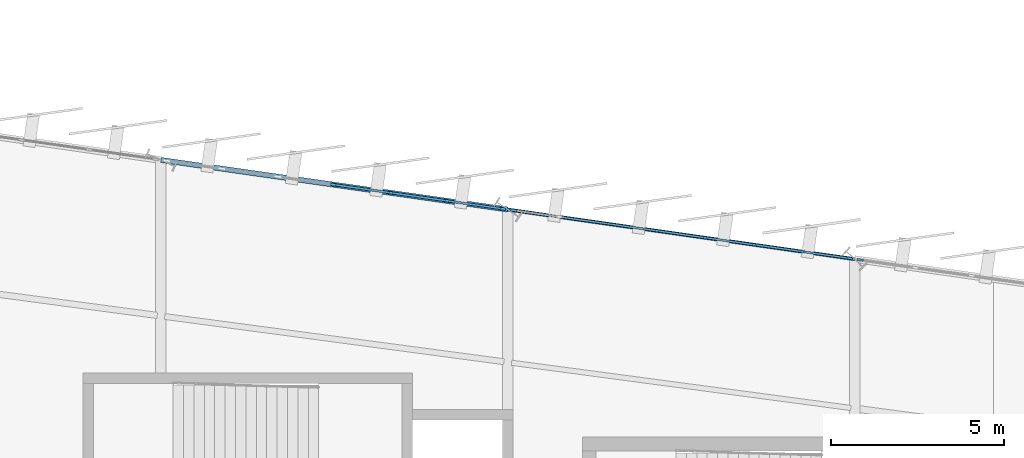
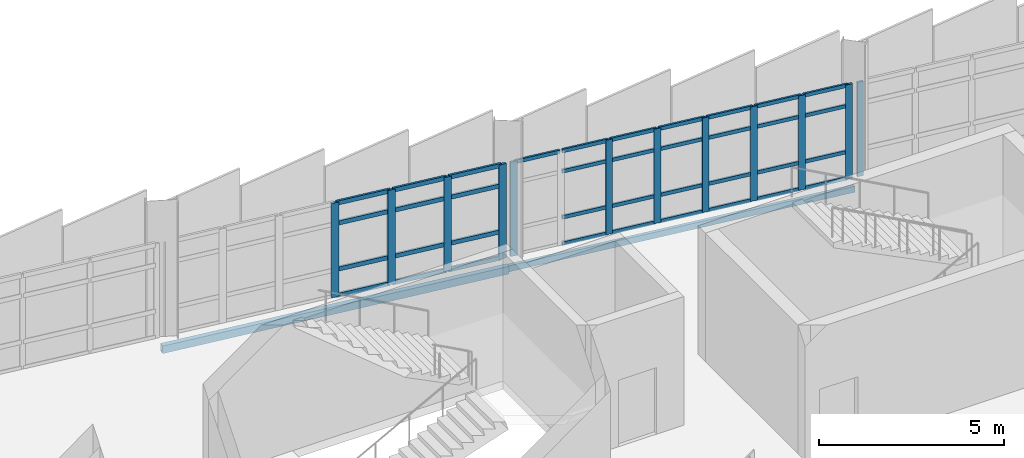
# One storey, part 60 of 134: 49 members, 2 beams, 3 elements without a shape of their own.
"""IFC4 building model written with IfcOpenShell, lengths in metres."""

from ifc_helpers import new_model, si_unit, direction, frame, origin, origin_2d, place, context, subcontext, project, spatial, rectangle, hollow_rectangle, extrude, material, layer, layer_set, material_profile, profile_set, type_object, element, aggregate, save


model = new_model("IFC4")

# Units and contexts
model_context = context("Model", 3, precision=1e-05, world=origin(), true_north=direction((0.0, 1.0)))
body_context = subcontext(model_context, "Body", "Model", "MODEL_VIEW")
ifc_project = project(units=[si_unit("LENGTHUNIT", "METRE"), si_unit("AREAUNIT", "SQUARE_METRE"), si_unit("VOLUMEUNIT", "CUBIC_METRE"), si_unit("PLANEANGLEUNIT", "RADIAN"), si_unit("MASSUNIT", "GRAM", prefix="KILO")], contexts=[model_context])

# Site, building, storey
site_placement = place(None, origin())
site = spatial("IfcSite", under=ifc_project, at=site_placement, CompositionType="ELEMENT")
building_placement = place(site_placement, origin())
building = spatial("IfcBuilding", under=site, at=building_placement, Name="Sohan Crest Arena", CompositionType="ELEMENT")
storey_placement = place(building_placement, frame((0.0, 0.0, 4.5)))
storey = spatial("IfcBuildingStorey", under=building, at=storey_placement, Name="L01", CompositionType="ELEMENT", Elevation=4.5)

# Curtain wall, member
ifc_material_1 = material(Name="Thermally broken anodised aluminium", Category="aluminium")
ifc_layer_1 = layer(ifc_material_1, 0.2099609375, Name="Thermally broken anodised aluminium")
ifc_layer_set_1 = layer_set([ifc_layer_1], Name="Thermally broken anodised aluminium")
curtain_wall_type_1 = type_object("IfcCurtainWallType", Name="ARC-CW06", PredefinedType="NOTDEFINED", material=ifc_layer_set_1)
curtain_wall_1_placement = place(storey_placement, origin())
curtain_wall_1 = element("IfcCurtainWall", 1, at=curtain_wall_1_placement, inside=storey, type_object=curtain_wall_type_1, Name="Unitised curtain wall CW-045", PredefinedType="NOTDEFINED")
ifc_material_profile_1 = material_profile(ifc_material_1, rectangle(XDim=0.06494140625, YDim=0.179931640625, at=origin_2d()), Name="ALU-MULL 65x180")
ifc_profile_set_1 = profile_set([ifc_material_profile_1], Name="Thermally broken anodised aluminium")
member_type_1 = type_object("IfcMemberType", Name="ARC-CW-ML02", PredefinedType="MULLION", material=ifc_profile_set_1)
member_1_placement = place(storey_placement, frame((138.1611328125, 120.263427734375, 0.0), z_axis=(0.0, 0.0, 1.0), x_axis=(-0.141549389674, -0.989931194722, 0.0)))
member_1 = element("IfcMember", 2, at=member_1_placement, type_object=member_type_1, Name="CW-045 mullion 7", PredefinedType="MULLION", context=body_context, shape_type="SweptSolid", body=[
    extrude(rectangle(XDim=0.06494140625, YDim=0.179931640625, at=origin_2d()), origin(), (0.0, 0.0, 1.0), 3.1201171875),
])
aggregate(curtain_wall_1, [member_1])

# Curtain wall, members
ifc_layer_2 = layer(ifc_material_1, 0.179931640625, Name="Thermally broken anodised aluminium")
ifc_layer_set_2 = layer_set([ifc_layer_2], Name="Thermally broken anodised aluminium")
curtain_wall_type_2 = type_object("IfcCurtainWallType", Name="ARC-CW01", PredefinedType="NOTDEFINED", material=ifc_layer_set_2)
curtain_wall_2_placement = place(storey_placement, origin())
curtain_wall_2 = element("IfcCurtainWall", 3, at=curtain_wall_2_placement, inside=storey, type_object=curtain_wall_type_2, Name="Unitised curtain wall CW-046", PredefinedType="NOTDEFINED")
ifc_material_profile_2 = material_profile(ifc_material_1, rectangle(XDim=0.070068359375, YDim=0.199951171875, at=origin_2d()), Name="ALU-MULL 70x200")
ifc_profile_set_2 = profile_set([ifc_material_profile_2], Name="Thermally broken anodised aluminium")
member_type_2 = type_object("IfcMemberType", Name="ARC-CW-ML03", PredefinedType="MULLION", material=ifc_profile_set_2)
member_2_placement = place(storey_placement, frame((137.83642578125, 120.308837890625, 0.0), z_axis=(0.0, 0.0, 1.0), x_axis=(-0.141449808729, -0.989945428602, 0.0)))
member_2 = element("IfcMember", 4, at=member_2_placement, type_object=member_type_2, Name="CW-046 mullion 1", PredefinedType="MULLION", context=body_context, shape_type="SweptSolid", body=[
    extrude(rectangle(XDim=0.070068359375, YDim=0.199951171875, at=origin_2d()), origin(), (0.0, 0.0, 1.0), 3.1201171875),
])
member_3_placement = place(storey_placement, frame((136.479248046875, 120.5029296875, 0.0), z_axis=(0.0, 0.0, 1.0), x_axis=(-0.141449808729, -0.989945428602, 0.0)))
member_3 = element("IfcMember", 5, at=member_3_placement, type_object=member_type_2, Name="CW-046 mullion 2", PredefinedType="MULLION", context=body_context, shape_type="SweptSolid", body=[
    extrude(rectangle(XDim=0.070068359375, YDim=0.199951171875, at=origin_2d()), origin(), (0.0, 0.0, 1.0), 3.1201171875),
])
member_4_placement = place(storey_placement, frame((135.087646484375, 120.70166015625, 0.0), z_axis=(0.0, 0.0, 1.0), x_axis=(-0.141449808729, -0.989945428602, 0.0)))
member_4 = element("IfcMember", 6, at=member_4_placement, type_object=member_type_2, Name="CW-046 mullion 3", PredefinedType="MULLION", context=body_context, shape_type="SweptSolid", body=[
    extrude(rectangle(XDim=0.070068359375, YDim=0.199951171875, at=origin_2d()), origin(), (0.0, 0.0, 1.0), 3.1201171875),
])
member_5_placement = place(storey_placement, frame((133.69580078125, 120.900634765625, 0.0), z_axis=(0.0, 0.0, 1.0), x_axis=(-0.141449808729, -0.989945428602, 0.0)))
member_5 = element("IfcMember", 7, at=member_5_placement, type_object=member_type_2, Name="CW-046 mullion 4", PredefinedType="MULLION", context=body_context, shape_type="SweptSolid", body=[
    extrude(rectangle(XDim=0.070068359375, YDim=0.199951171875, at=origin_2d()), origin(), (0.0, 0.0, 1.0), 3.1201171875),
])
member_6_placement = place(storey_placement, frame((132.30419921875, 121.099365234375, 0.0), z_axis=(0.0, 0.0, 1.0), x_axis=(-0.141449808729, -0.989945428602, 0.0)))
member_6 = element("IfcMember", 8, at=member_6_placement, type_object=member_type_2, Name="CW-046 mullion 5", PredefinedType="MULLION", context=body_context, shape_type="SweptSolid", body=[
    extrude(rectangle(XDim=0.070068359375, YDim=0.199951171875, at=origin_2d()), origin(), (0.0, 0.0, 1.0), 3.1201171875),
])
member_7_placement = place(storey_placement, frame((130.912353515625, 121.29833984375, 0.0), z_axis=(0.0, 0.0, 1.0), x_axis=(-0.141449808729, -0.989945428602, 0.0)))
member_7 = element("IfcMember", 9, at=member_7_placement, type_object=member_type_2, Name="CW-046 mullion 6", PredefinedType="MULLION", context=body_context, shape_type="SweptSolid", body=[
    extrude(rectangle(XDim=0.070068359375, YDim=0.199951171875, at=origin_2d()), origin(), (0.0, 0.0, 1.0), 3.1201171875),
])
member_8_placement = place(storey_placement, frame((128.16357421875, 121.691162109375, 0.0), z_axis=(0.0, 0.0, 1.0), x_axis=(-0.141449808729, -0.989945428602, 0.0)))
member_8 = element("IfcMember", 10, at=member_8_placement, type_object=member_type_2, Name="CW-046 mullion 8", PredefinedType="MULLION", context=body_context, shape_type="SweptSolid", body=[
    extrude(rectangle(XDim=0.070068359375, YDim=0.199951171875, at=origin_2d()), origin(), (0.0, 0.0, 1.0), 3.1201171875),
])

ifc_layer_3 = layer(ifc_material_1, 0.199951171875, Name="Thermally broken anodised aluminium")
ifc_layer_set_3 = layer_set([ifc_layer_3], Name="Thermally broken anodised aluminium")
curtain_wall_type_3 = type_object("IfcCurtainWallType", Name="ARC-CW02", PredefinedType="NOTDEFINED", material=ifc_layer_set_3)
curtain_wall_3_placement = place(storey_placement, origin())
curtain_wall_3 = element("IfcCurtainWall", 11, at=curtain_wall_3_placement, inside=storey, type_object=curtain_wall_type_3, Name="Unitised curtain wall CW-047", PredefinedType="NOTDEFINED")
ifc_material_profile_3 = material_profile(ifc_material_1, rectangle(XDim=0.074951171875, YDim=0.219970703125, at=origin_2d()), Name="ALU-MULL 75x220")
ifc_profile_set_3 = profile_set([ifc_material_profile_3], Name="Thermally broken anodised aluminium")
member_type_3 = type_object("IfcMemberType", Name="ARC-CW-ML04", PredefinedType="MULLION", material=ifc_profile_set_3)
member_9_placement = place(storey_placement, frame((127.833984375, 121.7373046875, 0.0), z_axis=(0.0, 0.0, 1.0), x_axis=(-0.141549389674, -0.989931194722, 0.0)))
member_9 = element("IfcMember", 12, at=member_9_placement, type_object=member_type_3, Name="CW-047 mullion 1", PredefinedType="MULLION", context=body_context, shape_type="SweptSolid", body=[
    extrude(rectangle(XDim=0.074951171875, YDim=0.219970703125, at=origin_2d()), origin(), (0.0, 0.0, 1.0), 3.1201171875),
])
member_10_placement = place(storey_placement, frame((126.247314453125, 121.964111328125, 0.0), z_axis=(0.0, 0.0, 1.0), x_axis=(-0.141549389674, -0.989931194722, 0.0)))
member_10 = element("IfcMember", 13, at=member_10_placement, type_object=member_type_3, Name="CW-047 mullion 2", PredefinedType="MULLION", context=body_context, shape_type="SweptSolid", body=[
    extrude(rectangle(XDim=0.074951171875, YDim=0.219970703125, at=origin_2d()), origin(), (0.0, 0.0, 1.0), 3.1201171875),
])
member_11_placement = place(storey_placement, frame((124.623779296875, 122.1962890625, 0.0), z_axis=(0.0, 0.0, 1.0), x_axis=(-0.141549389674, -0.989931194722, 0.0)))
member_11 = element("IfcMember", 14, at=member_11_placement, type_object=member_type_3, Name="CW-047 mullion 3", PredefinedType="MULLION", context=body_context, shape_type="SweptSolid", body=[
    extrude(rectangle(XDim=0.074951171875, YDim=0.219970703125, at=origin_2d()), origin(), (0.0, 0.0, 1.0), 3.1201171875),
])
member_12_placement = place(storey_placement, frame((123.0, 122.428466796875, 0.0), z_axis=(0.0, 0.0, 1.0), x_axis=(-0.141549389674, -0.989931194722, 0.0)))
member_12 = element("IfcMember", 15, at=member_12_placement, type_object=member_type_3, Name="CW-047 mullion 4", PredefinedType="MULLION", context=body_context, shape_type="SweptSolid", body=[
    extrude(rectangle(XDim=0.074951171875, YDim=0.219970703125, at=origin_2d()), origin(), (0.0, 0.0, 1.0), 3.1201171875),
])

# Member
ifc_material_profile_4 = material_profile(ifc_material_1, rectangle(XDim=0.06005859375, YDim=0.1201171875, at=origin_2d()), Name="ALU-TRAN 60x120")
ifc_profile_set_4 = profile_set([ifc_material_profile_4], Name="Thermally broken anodised aluminium")
member_type_4 = type_object("IfcMemberType", Name="ARC-CW-TR01", PredefinedType="USERDEFINED", material=ifc_profile_set_4)
member_13_placement = place(storey_placement, frame((137.8017578125, 120.31396484375, 0.030029296875), z_axis=(-0.989964501762, 0.141316259683, 0.0), x_axis=(-0.141316259683, -0.989964501762, 0.0)))
member_13 = element("IfcMember", 16, at=member_13_placement, type_object=member_type_4, Name="CW-046 transom 1.1", ObjectType="TRANSOM", PredefinedType="USERDEFINED", context=body_context, shape_type="SweptSolid", body=[
    extrude(rectangle(XDim=0.06005859375, YDim=0.1201171875, at=origin_2d()), origin(), (0.0, 0.0, 1.0), 1.30078125),
])

member_14_placement = place(storey_placement, frame((137.8017578125, 120.31396484375, 0.89990234375), z_axis=(-0.989964501762, 0.141316259683, 0.0), x_axis=(-0.141316259683, -0.989964501762, 0.0)))
member_14 = element("IfcMember", 17, at=member_14_placement, type_object=member_type_4, Name="CW-046 transom 1.2", ObjectType="TRANSOM", PredefinedType="USERDEFINED", context=body_context, shape_type="SweptSolid", body=[
    extrude(rectangle(XDim=0.06005859375, YDim=0.1201171875, at=origin_2d()), origin(), (0.0, 0.0, 1.0), 1.30078125),
])

member_15_placement = place(storey_placement, frame((137.8017578125, 120.31396484375, 2.419921875), z_axis=(-0.989964501762, 0.141316259683, 0.0), x_axis=(-0.141316259683, -0.989964501762, 0.0)))
member_15 = element("IfcMember", 18, at=member_15_placement, type_object=member_type_4, Name="CW-046 transom 1.3", ObjectType="TRANSOM", PredefinedType="USERDEFINED", context=body_context, shape_type="SweptSolid", body=[
    extrude(rectangle(XDim=0.06005859375, YDim=0.1201171875, at=origin_2d()), origin(), (0.0, 0.0, 1.0), 1.30078125),
])

member_16_placement = place(storey_placement, frame((137.8017578125, 120.31396484375, 3.090087890625), z_axis=(-0.989964501762, 0.141316259683, 0.0), x_axis=(-0.141316259683, -0.989964501762, 0.0)))
member_16 = element("IfcMember", 19, at=member_16_placement, type_object=member_type_4, Name="CW-046 transom 1.4", ObjectType="TRANSOM", PredefinedType="USERDEFINED", context=body_context, shape_type="SweptSolid", body=[
    extrude(rectangle(XDim=0.06005859375, YDim=0.1201171875, at=origin_2d()), origin(), (0.0, 0.0, 1.0), 1.30078125),
])

member_17_placement = place(storey_placement, frame((136.444580078125, 120.5078125, 0.030029296875), z_axis=(-0.989942181096, 0.141472534743, 0.0), x_axis=(-0.141472534743, -0.989942181096, 0.0)))
member_17 = element("IfcMember", 20, at=member_17_placement, type_object=member_type_4, Name="CW-046 transom 2.1", ObjectType="TRANSOM", PredefinedType="USERDEFINED", context=body_context, shape_type="SweptSolid", body=[
    extrude(rectangle(XDim=0.06005859375, YDim=0.1201171875, at=origin_2d()), origin(), (0.0, 0.0, 1.0), 1.335693359375),
])

member_18_placement = place(storey_placement, frame((136.444580078125, 120.5078125, 0.89990234375), z_axis=(-0.989942181096, 0.141472534743, 0.0), x_axis=(-0.141472534743, -0.989942181096, 0.0)))
member_18 = element("IfcMember", 21, at=member_18_placement, type_object=member_type_4, Name="CW-046 transom 2.2", ObjectType="TRANSOM", PredefinedType="USERDEFINED", context=body_context, shape_type="SweptSolid", body=[
    extrude(rectangle(XDim=0.06005859375, YDim=0.1201171875, at=origin_2d()), origin(), (0.0, 0.0, 1.0), 1.335693359375),
])

member_19_placement = place(storey_placement, frame((136.444580078125, 120.5078125, 2.419921875), z_axis=(-0.989942181096, 0.141472534743, 0.0), x_axis=(-0.141472534743, -0.989942181096, 0.0)))
member_19 = element("IfcMember", 22, at=member_19_placement, type_object=member_type_4, Name="CW-046 transom 2.3", ObjectType="TRANSOM", PredefinedType="USERDEFINED", context=body_context, shape_type="SweptSolid", body=[
    extrude(rectangle(XDim=0.06005859375, YDim=0.1201171875, at=origin_2d()), origin(), (0.0, 0.0, 1.0), 1.335693359375),
])

member_20_placement = place(storey_placement, frame((136.444580078125, 120.5078125, 3.090087890625), z_axis=(-0.989942181096, 0.141472534743, 0.0), x_axis=(-0.141472534743, -0.989942181096, 0.0)))
member_20 = element("IfcMember", 23, at=member_20_placement, type_object=member_type_4, Name="CW-046 transom 2.4", ObjectType="TRANSOM", PredefinedType="USERDEFINED", context=body_context, shape_type="SweptSolid", body=[
    extrude(rectangle(XDim=0.06005859375, YDim=0.1201171875, at=origin_2d()), origin(), (0.0, 0.0, 1.0), 1.335693359375),
])

member_21_placement = place(storey_placement, frame((135.052978515625, 120.70654296875, 0.030029296875), z_axis=(-0.989945838371, 0.141446940908, 0.0), x_axis=(-0.141446940908, -0.989945838371, 0.0)))
member_21 = element("IfcMember", 24, at=member_21_placement, type_object=member_type_4, Name="CW-046 transom 3.1", ObjectType="TRANSOM", PredefinedType="USERDEFINED", context=body_context, shape_type="SweptSolid", body=[
    extrude(rectangle(XDim=0.06005859375, YDim=0.1201171875, at=origin_2d()), origin(), (0.0, 0.0, 1.0), 1.3359375),
])

member_22_placement = place(storey_placement, frame((135.052978515625, 120.70654296875, 0.89990234375), z_axis=(-0.989945838371, 0.141446940908, 0.0), x_axis=(-0.141446940908, -0.989945838371, 0.0)))
member_22 = element("IfcMember", 25, at=member_22_placement, type_object=member_type_4, Name="CW-046 transom 3.2", ObjectType="TRANSOM", PredefinedType="USERDEFINED", context=body_context, shape_type="SweptSolid", body=[
    extrude(rectangle(XDim=0.06005859375, YDim=0.1201171875, at=origin_2d()), origin(), (0.0, 0.0, 1.0), 1.3359375),
])

member_23_placement = place(storey_placement, frame((135.052978515625, 120.70654296875, 2.419921875), z_axis=(-0.989945838371, 0.141446940908, 0.0), x_axis=(-0.141446940908, -0.989945838371, 0.0)))
member_23 = element("IfcMember", 26, at=member_23_placement, type_object=member_type_4, Name="CW-046 transom 3.3", ObjectType="TRANSOM", PredefinedType="USERDEFINED", context=body_context, shape_type="SweptSolid", body=[
    extrude(rectangle(XDim=0.06005859375, YDim=0.1201171875, at=origin_2d()), origin(), (0.0, 0.0, 1.0), 1.3359375),
])

member_24_placement = place(storey_placement, frame((135.052978515625, 120.70654296875, 3.090087890625), z_axis=(-0.989945838371, 0.141446940908, 0.0), x_axis=(-0.141446940908, -0.989945838371, 0.0)))
member_24 = element("IfcMember", 27, at=member_24_placement, type_object=member_type_4, Name="CW-046 transom 3.4", ObjectType="TRANSOM", PredefinedType="USERDEFINED", context=body_context, shape_type="SweptSolid", body=[
    extrude(rectangle(XDim=0.06005859375, YDim=0.1201171875, at=origin_2d()), origin(), (0.0, 0.0, 1.0), 1.3359375),
])

member_25_placement = place(storey_placement, frame((133.6611328125, 120.905517578125, 0.030029296875), z_axis=(-0.989942181096, 0.141472534743, 0.0), x_axis=(-0.141472534743, -0.989942181096, 0.0)))
member_25 = element("IfcMember", 28, at=member_25_placement, type_object=member_type_4, Name="CW-046 transom 4.1", ObjectType="TRANSOM", PredefinedType="USERDEFINED", context=body_context, shape_type="SweptSolid", body=[
    extrude(rectangle(XDim=0.06005859375, YDim=0.1201171875, at=origin_2d()), origin(), (0.0, 0.0, 1.0), 1.335693359375),
])

member_26_placement = place(storey_placement, frame((133.6611328125, 120.905517578125, 0.89990234375), z_axis=(-0.989942181096, 0.141472534743, 0.0), x_axis=(-0.141472534743, -0.989942181096, 0.0)))
member_26 = element("IfcMember", 29, at=member_26_placement, type_object=member_type_4, Name="CW-046 transom 4.2", ObjectType="TRANSOM", PredefinedType="USERDEFINED", context=body_context, shape_type="SweptSolid", body=[
    extrude(rectangle(XDim=0.06005859375, YDim=0.1201171875, at=origin_2d()), origin(), (0.0, 0.0, 1.0), 1.335693359375),
])

member_27_placement = place(storey_placement, frame((133.6611328125, 120.905517578125, 2.419921875), z_axis=(-0.989942181096, 0.141472534743, 0.0), x_axis=(-0.141472534743, -0.989942181096, 0.0)))
member_27 = element("IfcMember", 30, at=member_27_placement, type_object=member_type_4, Name="CW-046 transom 4.3", ObjectType="TRANSOM", PredefinedType="USERDEFINED", context=body_context, shape_type="SweptSolid", body=[
    extrude(rectangle(XDim=0.06005859375, YDim=0.1201171875, at=origin_2d()), origin(), (0.0, 0.0, 1.0), 1.335693359375),
])

member_28_placement = place(storey_placement, frame((133.6611328125, 120.905517578125, 3.090087890625), z_axis=(-0.989942181096, 0.141472534743, 0.0), x_axis=(-0.141472534743, -0.989942181096, 0.0)))
member_28 = element("IfcMember", 31, at=member_28_placement, type_object=member_type_4, Name="CW-046 transom 4.4", ObjectType="TRANSOM", PredefinedType="USERDEFINED", context=body_context, shape_type="SweptSolid", body=[
    extrude(rectangle(XDim=0.06005859375, YDim=0.1201171875, at=origin_2d()), origin(), (0.0, 0.0, 1.0), 1.335693359375),
])

member_29_placement = place(storey_placement, frame((132.26953125, 121.1044921875, 0.030029296875), z_axis=(-0.989945838371, 0.141446940908, 0.0), x_axis=(-0.141446940908, -0.989945838371, 0.0)))
member_29 = element("IfcMember", 32, at=member_29_placement, type_object=member_type_4, Name="CW-046 transom 5.1", ObjectType="TRANSOM", PredefinedType="USERDEFINED", context=body_context, shape_type="SweptSolid", body=[
    extrude(rectangle(XDim=0.06005859375, YDim=0.1201171875, at=origin_2d()), origin(), (0.0, 0.0, 1.0), 1.3359375),
])

member_30_placement = place(storey_placement, frame((132.26953125, 121.1044921875, 0.89990234375), z_axis=(-0.989945838371, 0.141446940908, 0.0), x_axis=(-0.141446940908, -0.989945838371, 0.0)))
member_30 = element("IfcMember", 33, at=member_30_placement, type_object=member_type_4, Name="CW-046 transom 5.2", ObjectType="TRANSOM", PredefinedType="USERDEFINED", context=body_context, shape_type="SweptSolid", body=[
    extrude(rectangle(XDim=0.06005859375, YDim=0.1201171875, at=origin_2d()), origin(), (0.0, 0.0, 1.0), 1.3359375),
])

member_31_placement = place(storey_placement, frame((132.26953125, 121.1044921875, 2.419921875), z_axis=(-0.989945838371, 0.141446940908, 0.0), x_axis=(-0.141446940908, -0.989945838371, 0.0)))
member_31 = element("IfcMember", 34, at=member_31_placement, type_object=member_type_4, Name="CW-046 transom 5.3", ObjectType="TRANSOM", PredefinedType="USERDEFINED", context=body_context, shape_type="SweptSolid", body=[
    extrude(rectangle(XDim=0.06005859375, YDim=0.1201171875, at=origin_2d()), origin(), (0.0, 0.0, 1.0), 1.3359375),
])

member_32_placement = place(storey_placement, frame((132.26953125, 121.1044921875, 3.090087890625), z_axis=(-0.989945838371, 0.141446940908, 0.0), x_axis=(-0.141446940908, -0.989945838371, 0.0)))
member_32 = element("IfcMember", 35, at=member_32_placement, type_object=member_type_4, Name="CW-046 transom 5.4", ObjectType="TRANSOM", PredefinedType="USERDEFINED", context=body_context, shape_type="SweptSolid", body=[
    extrude(rectangle(XDim=0.06005859375, YDim=0.1201171875, at=origin_2d()), origin(), (0.0, 0.0, 1.0), 1.3359375),
])

member_33_placement = place(storey_placement, frame((130.877685546875, 121.30322265625, 0.030029296875), z_axis=(-0.989942181096, 0.141472534743, 0.0), x_axis=(-0.141472534743, -0.989942181096, 0.0)))
member_33 = element("IfcMember", 36, at=member_33_placement, type_object=member_type_4, Name="CW-046 transom 6.1", ObjectType="TRANSOM", PredefinedType="USERDEFINED", context=body_context, shape_type="SweptSolid", body=[
    extrude(rectangle(XDim=0.06005859375, YDim=0.1201171875, at=origin_2d()), origin(), (0.0, 0.0, 1.0), 1.335693359375),
])

member_34_placement = place(storey_placement, frame((130.877685546875, 121.30322265625, 0.89990234375), z_axis=(-0.989942181096, 0.141472534743, 0.0), x_axis=(-0.141472534743, -0.989942181096, 0.0)))
member_34 = element("IfcMember", 37, at=member_34_placement, type_object=member_type_4, Name="CW-046 transom 6.2", ObjectType="TRANSOM", PredefinedType="USERDEFINED", context=body_context, shape_type="SweptSolid", body=[
    extrude(rectangle(XDim=0.06005859375, YDim=0.1201171875, at=origin_2d()), origin(), (0.0, 0.0, 1.0), 1.335693359375),
])

member_35_placement = place(storey_placement, frame((130.877685546875, 121.30322265625, 2.419921875), z_axis=(-0.989942181096, 0.141472534743, 0.0), x_axis=(-0.141472534743, -0.989942181096, 0.0)))
member_35 = element("IfcMember", 38, at=member_35_placement, type_object=member_type_4, Name="CW-046 transom 6.3", ObjectType="TRANSOM", PredefinedType="USERDEFINED", context=body_context, shape_type="SweptSolid", body=[
    extrude(rectangle(XDim=0.06005859375, YDim=0.1201171875, at=origin_2d()), origin(), (0.0, 0.0, 1.0), 1.335693359375),
])

member_36_placement = place(storey_placement, frame((130.877685546875, 121.30322265625, 3.090087890625), z_axis=(-0.989942181096, 0.141472534743, 0.0), x_axis=(-0.141472534743, -0.989942181096, 0.0)))
member_36 = element("IfcMember", 39, at=member_36_placement, type_object=member_type_4, Name="CW-046 transom 6.4", ObjectType="TRANSOM", PredefinedType="USERDEFINED", context=body_context, shape_type="SweptSolid", body=[
    extrude(rectangle(XDim=0.06005859375, YDim=0.1201171875, at=origin_2d()), origin(), (0.0, 0.0, 1.0), 1.335693359375),
])

member_37_placement = place(storey_placement, frame((129.486083984375, 121.502197265625, 3.090087890625), z_axis=(-0.989964501762, 0.141316259683, 0.0), x_axis=(-0.141316259683, -0.989964501762, 0.0)))
member_37 = element("IfcMember", 40, at=member_37_placement, type_object=member_type_4, Name="CW-046 transom 7.4", ObjectType="TRANSOM", PredefinedType="USERDEFINED", context=body_context, shape_type="SweptSolid", body=[
    extrude(rectangle(XDim=0.06005859375, YDim=0.1201171875, at=origin_2d()), origin(), (0.0, 0.0, 1.0), 1.30078125),
])

aggregate(curtain_wall_2, [member_2, member_3, member_4, member_5, member_6, member_7, member_8, member_13, member_14, member_15, member_16, member_17, member_18, member_19, member_20, member_21, member_22, member_23, member_24, member_25, member_26, member_27, member_28, member_29, member_30, member_31, member_32, member_33, member_34, member_35, member_36, member_37])

ifc_material_profile_5 = material_profile(ifc_material_1, rectangle(XDim=0.06494140625, YDim=0.139892578125, at=origin_2d()), Name="ALU-TRAN 65x140")
ifc_profile_set_5 = profile_set([ifc_material_profile_5], Name="Thermally broken anodised aluminium")
member_type_5 = type_object("IfcMemberType", Name="ARC-CW-TR02", PredefinedType="USERDEFINED", material=ifc_profile_set_5)
member_38_placement = place(storey_placement, frame((127.796875, 121.74267578125, 0.032470703125), z_axis=(-0.989949493661, 0.141421356237, 0.0), x_axis=(-0.141421356237, -0.989949493661, 0.0)))
member_38 = element("IfcMember", 41, at=member_38_placement, type_object=member_type_5, Name="CW-047 transom 1.1", ObjectType="TRANSOM", PredefinedType="USERDEFINED", context=body_context, shape_type="SweptSolid", body=[
    extrude(rectangle(XDim=0.06494140625, YDim=0.139892578125, at=origin_2d()), origin(), (0.0, 0.0, 1.0), 1.52783203125),
])

member_39_placement = place(storey_placement, frame((127.796875, 121.74267578125, 0.89990234375), z_axis=(-0.989949493661, 0.141421356237, 0.0), x_axis=(-0.141421356237, -0.989949493661, 0.0)))
member_39 = element("IfcMember", 42, at=member_39_placement, type_object=member_type_5, Name="CW-047 transom 1.2", ObjectType="TRANSOM", PredefinedType="USERDEFINED", context=body_context, shape_type="SweptSolid", body=[
    extrude(rectangle(XDim=0.06494140625, YDim=0.139892578125, at=origin_2d()), origin(), (0.0, 0.0, 1.0), 1.52783203125),
])

member_40_placement = place(storey_placement, frame((127.796875, 121.74267578125, 2.419921875), z_axis=(-0.989949493661, 0.141421356237, 0.0), x_axis=(-0.141421356237, -0.989949493661, 0.0)))
member_40 = element("IfcMember", 43, at=member_40_placement, type_object=member_type_5, Name="CW-047 transom 1.3", ObjectType="TRANSOM", PredefinedType="USERDEFINED", context=body_context, shape_type="SweptSolid", body=[
    extrude(rectangle(XDim=0.06494140625, YDim=0.139892578125, at=origin_2d()), origin(), (0.0, 0.0, 1.0), 1.52783203125),
])

member_41_placement = place(storey_placement, frame((127.796875, 121.74267578125, 3.08740234375), z_axis=(-0.989949493661, 0.141421356237, 0.0), x_axis=(-0.141421356237, -0.989949493661, 0.0)))
member_41 = element("IfcMember", 44, at=member_41_placement, type_object=member_type_5, Name="CW-047 transom 1.4", ObjectType="TRANSOM", PredefinedType="USERDEFINED", context=body_context, shape_type="SweptSolid", body=[
    extrude(rectangle(XDim=0.06494140625, YDim=0.139892578125, at=origin_2d()), origin(), (0.0, 0.0, 1.0), 1.52783203125),
])

member_42_placement = place(storey_placement, frame((126.210205078125, 121.969482421875, 0.032470703125), z_axis=(-0.989940131832, 0.141486873554, 0.0), x_axis=(-0.141486873554, -0.989940131832, 0.0)))
member_42 = element("IfcMember", 45, at=member_42_placement, type_object=member_type_5, Name="CW-047 transom 2.1", ObjectType="TRANSOM", PredefinedType="USERDEFINED", context=body_context, shape_type="SweptSolid", body=[
    extrude(rectangle(XDim=0.06494140625, YDim=0.139892578125, at=origin_2d()), origin(), (0.0, 0.0, 1.0), 1.56494140625),
])

member_43_placement = place(storey_placement, frame((126.210205078125, 121.969482421875, 0.89990234375), z_axis=(-0.989940131832, 0.141486873554, 0.0), x_axis=(-0.141486873554, -0.989940131832, 0.0)))
member_43 = element("IfcMember", 46, at=member_43_placement, type_object=member_type_5, Name="CW-047 transom 2.2", ObjectType="TRANSOM", PredefinedType="USERDEFINED", context=body_context, shape_type="SweptSolid", body=[
    extrude(rectangle(XDim=0.06494140625, YDim=0.139892578125, at=origin_2d()), origin(), (0.0, 0.0, 1.0), 1.56494140625),
])

member_44_placement = place(storey_placement, frame((126.210205078125, 121.969482421875, 2.419921875), z_axis=(-0.989940131832, 0.141486873554, 0.0), x_axis=(-0.141486873554, -0.989940131832, 0.0)))
member_44 = element("IfcMember", 47, at=member_44_placement, type_object=member_type_5, Name="CW-047 transom 2.3", ObjectType="TRANSOM", PredefinedType="USERDEFINED", context=body_context, shape_type="SweptSolid", body=[
    extrude(rectangle(XDim=0.06494140625, YDim=0.139892578125, at=origin_2d()), origin(), (0.0, 0.0, 1.0), 1.56494140625),
])

member_45_placement = place(storey_placement, frame((126.210205078125, 121.969482421875, 3.08740234375), z_axis=(-0.989940131832, 0.141486873554, 0.0), x_axis=(-0.141486873554, -0.989940131832, 0.0)))
member_45 = element("IfcMember", 48, at=member_45_placement, type_object=member_type_5, Name="CW-047 transom 2.4", ObjectType="TRANSOM", PredefinedType="USERDEFINED", context=body_context, shape_type="SweptSolid", body=[
    extrude(rectangle(XDim=0.06494140625, YDim=0.139892578125, at=origin_2d()), origin(), (0.0, 0.0, 1.0), 1.56494140625),
])

member_46_placement = place(storey_placement, frame((124.58642578125, 122.20166015625, 0.032470703125), z_axis=(-0.989940131832, 0.141486873554, 0.0), x_axis=(-0.141486873554, -0.989940131832, 0.0)))
member_46 = element("IfcMember", 49, at=member_46_placement, type_object=member_type_5, Name="CW-047 transom 3.1", ObjectType="TRANSOM", PredefinedType="USERDEFINED", context=body_context, shape_type="SweptSolid", body=[
    extrude(rectangle(XDim=0.06494140625, YDim=0.139892578125, at=origin_2d()), origin(), (0.0, 0.0, 1.0), 1.56494140625),
])

member_47_placement = place(storey_placement, frame((124.58642578125, 122.20166015625, 0.89990234375), z_axis=(-0.989940131832, 0.141486873554, 0.0), x_axis=(-0.141486873554, -0.989940131832, 0.0)))
member_47 = element("IfcMember", 50, at=member_47_placement, type_object=member_type_5, Name="CW-047 transom 3.2", ObjectType="TRANSOM", PredefinedType="USERDEFINED", context=body_context, shape_type="SweptSolid", body=[
    extrude(rectangle(XDim=0.06494140625, YDim=0.139892578125, at=origin_2d()), origin(), (0.0, 0.0, 1.0), 1.56494140625),
])

member_48_placement = place(storey_placement, frame((124.58642578125, 122.20166015625, 2.419921875), z_axis=(-0.989940131832, 0.141486873554, 0.0), x_axis=(-0.141486873554, -0.989940131832, 0.0)))
member_48 = element("IfcMember", 51, at=member_48_placement, type_object=member_type_5, Name="CW-047 transom 3.3", ObjectType="TRANSOM", PredefinedType="USERDEFINED", context=body_context, shape_type="SweptSolid", body=[
    extrude(rectangle(XDim=0.06494140625, YDim=0.139892578125, at=origin_2d()), origin(), (0.0, 0.0, 1.0), 1.56494140625),
])

member_49_placement = place(storey_placement, frame((124.58642578125, 122.20166015625, 3.08740234375), z_axis=(-0.989940131832, 0.141486873554, 0.0), x_axis=(-0.141486873554, -0.989940131832, 0.0)))
member_49 = element("IfcMember", 52, at=member_49_placement, type_object=member_type_5, Name="CW-047 transom 3.4", ObjectType="TRANSOM", PredefinedType="USERDEFINED", context=body_context, shape_type="SweptSolid", body=[
    extrude(rectangle(XDim=0.06494140625, YDim=0.139892578125, at=origin_2d()), origin(), (0.0, 0.0, 1.0), 1.56494140625),
])

aggregate(curtain_wall_3, [member_9, member_10, member_11, member_12, member_38, member_39, member_40, member_41, member_42, member_43, member_44, member_45, member_46, member_47, member_48, member_49])

# Beams
ifc_material_2 = material(Name="Steel S355", Category="steel")
ifc_material_profile_6 = material_profile(ifc_material_2, hollow_rectangle(XDim=0.10009765625, YDim=0.199951171875, WallThickness=0.008056640625, at=origin_2d()), Name="RHS 200x100x8")
ifc_profile_set_6 = profile_set([ifc_material_profile_6], Name="Steel S355")
beam_type_1 = type_object("IfcBeamType", Name="STR-BM-SP01", PredefinedType="SPANDREL", material=ifc_profile_set_6)
beam_1_placement = place(storey_placement, frame((138.0, 120.285888671875, -0.375), z_axis=(-0.989954326844, 0.141387519825, 0.0), x_axis=(-0.141387519825, -0.989954326844, 0.0)))
element("IfcBeam", 53, at=beam_1_placement, inside=storey, type_object=beam_type_1, Name="Structural beam SP-L01-1229", PredefinedType="SPANDREL", context=body_context, shape_type="SweptSolid", body=[
    extrude(hollow_rectangle(XDim=0.10009765625, YDim=0.199951171875, WallThickness=0.008056640625, at=origin_2d()), origin(), (0.0, 0.0, 1.0), 10.1015625),
])
ifc_material_profile_7 = material_profile(ifc_material_2, hollow_rectangle(XDim=0.14990234375, YDim=0.25, WallThickness=0.010009765625, at=origin_2d()), Name="RHS 250x150x10")
ifc_profile_set_7 = profile_set([ifc_material_profile_7], Name="Steel S355")
beam_type_2 = type_object("IfcBeamType", Name="STR-BM-SP02", PredefinedType="SPANDREL", material=ifc_profile_set_7)
beam_2_placement = place(storey_placement, frame((128.0, 121.714111328125, -0.39990234375), z_axis=(-0.989944175879, 0.141458575718, 0.0), x_axis=(-0.141458575718, -0.989944175879, 0.0)))
element("IfcBeam", 54, at=beam_2_placement, inside=storey, type_object=beam_type_2, Name="Structural beam SP-L01-1233", PredefinedType="SPANDREL", context=body_context, shape_type="SweptSolid", body=[
    extrude(hollow_rectangle(XDim=0.14990234375, YDim=0.25, WallThickness=0.010009765625, at=origin_2d()), origin(), (0.0, 0.0, 1.0), 10.1015625),
])

save(model, "model.ifc")
